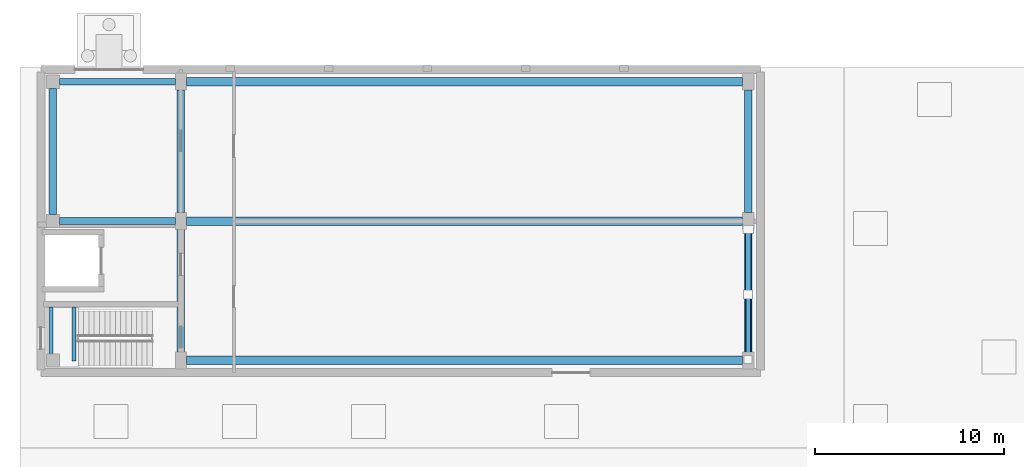
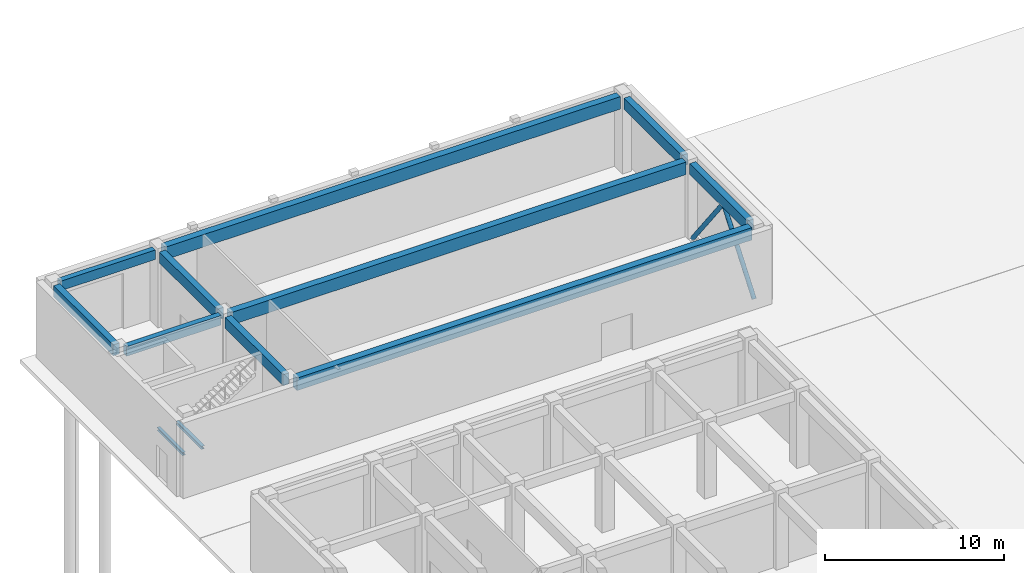
# One storey, part 11 of 46: 12 beams, 2 members.
"""IFC4 building model written with IfcOpenShell, lengths in metres."""

from ifc_helpers import new_model, si_unit, direction, frame, origin, origin_2d, place, context, subcontext, project, spatial, rectangle, hollow_circle, i_section, extrude, material, material_profile, profile_set, type_object, element, save


model = new_model("IFC4")

# Units and contexts
model_context = context("Model", 3, precision=1e-05, world=origin(), true_north=direction((0.0, 1.0)))
body_context = subcontext(model_context, "Body", "Model", "MODEL_VIEW")
ifc_project = project(units=[si_unit("LENGTHUNIT", "METRE"), si_unit("AREAUNIT", "SQUARE_METRE"), si_unit("VOLUMEUNIT", "CUBIC_METRE"), si_unit("PLANEANGLEUNIT", "RADIAN"), si_unit("MASSUNIT", "GRAM", prefix="KILO")], contexts=[model_context])

# Site, building, storey
site_placement = place(None, origin())
site = spatial("IfcSite", under=ifc_project, at=site_placement, CompositionType="ELEMENT")
building_placement = place(site_placement, origin())
building = spatial("IfcBuilding", under=site, at=building_placement, Name="Cinchona Park Media Centre", CompositionType="ELEMENT")
storey_placement = place(building_placement, origin())
storey = spatial("IfcBuildingStorey", under=building, at=storey_placement, Name="L00", CompositionType="ELEMENT", Elevation=0.0)

# Beams
ifc_material_1 = material(Name="Concrete C35/45", Category="concrete")
ifc_material_profile_1 = material_profile(ifc_material_1, rectangle(XDim=0.39990234375, YDim=0.75, at=origin_2d()), Name="RB 400X750")
ifc_profile_set_1 = profile_set([ifc_material_profile_1], Name="Concrete C35/45")
beam_type_1 = type_object("IfcBeamType", Name="BEAM-B01-RB400X750", PredefinedType="BEAM", material=ifc_profile_set_1)
beam_placement = place(storey_placement, frame((8.639892578125, 110.35009765625, 4.77490234375), z_axis=(0.0, 1.0, 0.0), x_axis=(-1.0, 0.0, 0.0)))
element("IfcBeam", 1, at=beam_placement, inside=storey, type_object=beam_type_1, Name="Girder B01 L00", PredefinedType="BEAM", context=body_context, shape_type="SweptSolid", body=[
    extrude(rectangle(XDim=0.39990234375, YDim=0.75, at=origin_2d()), origin(), (0.0, 0.0, 1.0), 6.659912109375),
])
for number, where, z_axis, x_axis, name in (
    (2, (15.39990234375, 103.090087890625, 4.77490234375), (0.0, 1.0, 0.0), (-1.0, 0.0, 0.0), "Girder B01 L00"),
    (3, (15.39990234375, 110.449951171875, 4.77490234375), (0.0, 1.0, 0.0), (-1.0, 0.0, 0.0), "Girder B01 L00"),
    (4, (45.360107421875, 103.090087890625, 4.77490234375), (0.0, 1.0, 0.0), (-1.0, 0.0, 0.0), "Girder B01 L00"),
    (5, (45.360107421875, 110.449951171875, 4.77490234375), (0.0, 1.0, 0.0), (-1.0, 0.0, 0.0), "Girder B01 L00"),
):
    element("IfcBeam", number, at=place(storey_placement, frame(where, z_axis=z_axis, x_axis=x_axis)), inside=storey, type_object=beam_type_1, Name=name, PredefinedType="BEAM", context=body_context, shape_type="SweptSolid", body=[
        extrude(rectangle(XDim=0.39990234375, YDim=0.75, at=origin_2d()), origin(), (0.0, 0.0, 1.0), 6.4599609375),
    ])
ifc_material_2 = material(Name="Concrete C35/45", Category="concrete")
ifc_material_profile_2 = material_profile(ifc_material_2, rectangle(XDim=0.449951171875, YDim=0.85009765625, at=origin_2d()), Name="RB 450X850")
ifc_profile_set_2 = profile_set([ifc_material_profile_2], Name="Concrete C35/45")
beam_type_2 = type_object("IfcBeamType", Name="BEAM-B02-RB450X850", PredefinedType="BEAM", material=ifc_profile_set_2)
for number, where, z_axis, x_axis, name in (
    (6, (15.699951171875, 102.639892578125, 4.72509765625), (1.0, 0.0, 0.0), (0.0, 1.0, 0.0), "Beam B02 L00"),
    (7, (15.699951171875, 110.0, 4.72509765625), (1.0, 0.0, 0.0), (0.0, 1.0, 0.0), "Beam B02 L00"),
    (8, (15.699951171875, 117.360107421875, 4.72509765625), (1.0, 0.0, 0.0), (0.0, 1.0, 0.0), "Beam B02 L00"),
):
    element("IfcBeam", number, at=place(storey_placement, frame(where, z_axis=z_axis, x_axis=x_axis)), inside=storey, type_object=beam_type_2, Name=name, PredefinedType="BEAM", context=body_context, shape_type="SweptSolid", body=[
        extrude(rectangle(XDim=0.449951171875, YDim=0.85009765625, at=origin_2d()), origin(), (0.0, 0.0, 1.0), 29.360107421875),
    ])
ifc_material_3 = material(Name="Concrete C35/45", Category="concrete")
ifc_material_profile_3 = material_profile(ifc_material_3, rectangle(XDim=0.35009765625, YDim=0.64990234375, at=origin_2d()), Name="RB 350X650")
ifc_profile_set_3 = profile_set([ifc_material_profile_3], Name="Concrete C35/45")
beam_type_3 = type_object("IfcBeamType", Name="BEAM-B04-RB350X650", PredefinedType="BEAM", material=ifc_profile_set_3)
for number, where, z_axis, x_axis, name in (
    (9, (8.989990234375, 110.0, 4.824951171875), (1.0, 0.0, 0.0), (0.0, 1.0, 0.0), "Beam B04 L00"),
    (10, (8.989990234375, 117.360107421875, 4.824951171875), (1.0, 0.0, 0.0), (0.0, 1.0, 0.0), "Beam B04 L00"),
):
    element("IfcBeam", number, at=place(storey_placement, frame(where, z_axis=z_axis, x_axis=x_axis)), inside=storey, type_object=beam_type_3, Name=name, PredefinedType="BEAM", context=body_context, shape_type="SweptSolid", body=[
        extrude(rectangle(XDim=0.35009765625, YDim=0.64990234375, at=origin_2d()), origin(), (0.0, 0.0, 1.0), 6.110107421875),
    ])
ifc_material_4 = material(Name="Steel S355", Category="steel")
ifc_material_profile_4 = material_profile(ifc_material_4, i_section(OverallWidth=0.202880859375, OverallDepth=0.202880859375, WebThickness=0.007080078125, FlangeThickness=0.010986328125, at=origin_2d()), Name="W200X46")
ifc_profile_set_4 = profile_set([ifc_material_profile_4], Name="Steel S355")
beam_type_4 = type_object("IfcBeamType", Name="BEAM-B10-W200X46", PredefinedType="BEAM", material=ifc_profile_set_4)
for number, where, z_axis, x_axis, name in (
    (11, (8.5400390625, 105.469970703125, 2.3935546875), (0.0, -1.0, 0.0), (1.0, 0.0, 0.0), "Stair Landing Bearer Beam B10 ST4 L00"),
    (12, (9.760009765625, 105.469970703125, 2.3935546875), (0.0, -1.0, 0.0), (1.0, 0.0, 0.0), "Stair Landing Bearer Beam B10 ST4 L00"),
):
    element("IfcBeam", number, at=place(storey_placement, frame(where, z_axis=z_axis, x_axis=x_axis)), inside=storey, type_object=beam_type_4, Name=name, PredefinedType="BEAM", context=body_context, shape_type="SweptSolid", body=[
        extrude(i_section(OverallWidth=0.202880859375, OverallDepth=0.202880859375, WebThickness=0.007080078125, FlangeThickness=0.010986328125, at=origin_2d()), origin(), (0.0, 0.0, 1.0), 2.869873046875),
    ])

# Members
ifc_material_5 = material(Name="Steel S355", Category="steel")
ifc_material_profile_5 = material_profile(ifc_material_5, hollow_circle(Radius=0.136474609375, WallThickness=0.01611328125, at=origin_2d()), Name="273X16CHS")
ifc_profile_set_5 = profile_set([ifc_material_profile_5], Name="Steel S355")
member_type = type_object("IfcMemberType", Name="MEMBER-BR01-CHS273X16", PredefinedType="BRACE", material=ifc_profile_set_5)
member_1_placement = place(storey_placement, frame((45.360107421875, 102.695068359375, 0.0048828125), z_axis=(0.0, 0.610356043416, 0.792127199549), x_axis=(-1.0, 0.0, 0.0)))
element("IfcMember", 13, at=member_1_placement, inside=storey, type_object=member_type, Name="Vertical Chevron Brace BR01 L00", PredefinedType="BRACE", context=body_context, shape_type="SweptSolid", body=[
    extrude(hollow_circle(Radius=0.136474609375, WallThickness=0.01611328125, at=origin_2d()), origin(), (0.0, 0.0, 1.0), 5.611572265625),
])
member_2_placement = place(storey_placement, frame((45.360107421875, 109.544921875, 0.0048828125), z_axis=(0.0, -0.610328743351, 0.792148234259), x_axis=(1.0, 0.0, 0.0)))
element("IfcMember", 14, at=member_2_placement, inside=storey, type_object=member_type, Name="Vertical Chevron Brace BR01 L00", PredefinedType="BRACE", context=body_context, shape_type="SweptSolid", body=[
    extrude(hollow_circle(Radius=0.136474609375, WallThickness=0.01611328125, at=origin_2d()), origin(), (0.0, 0.0, 1.0), 5.611328125),
])

save(model, "model.ifc")
